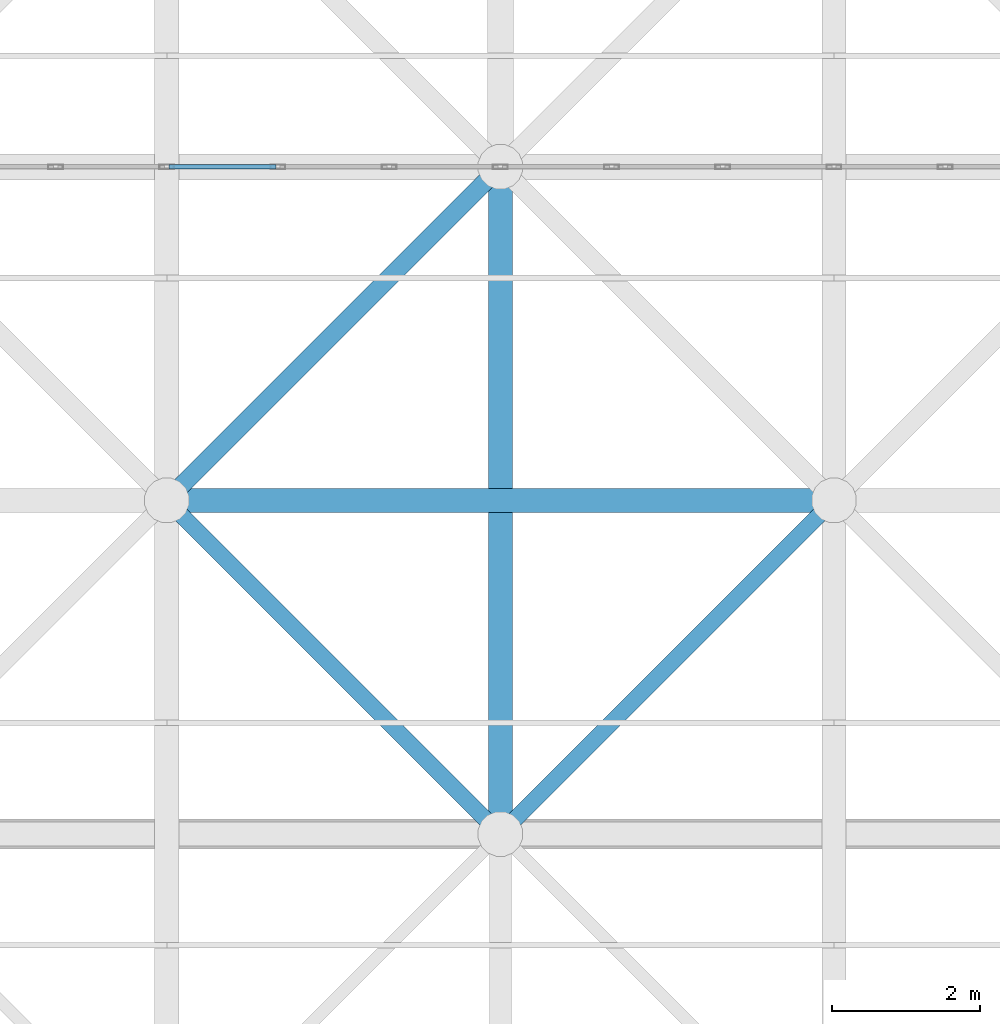
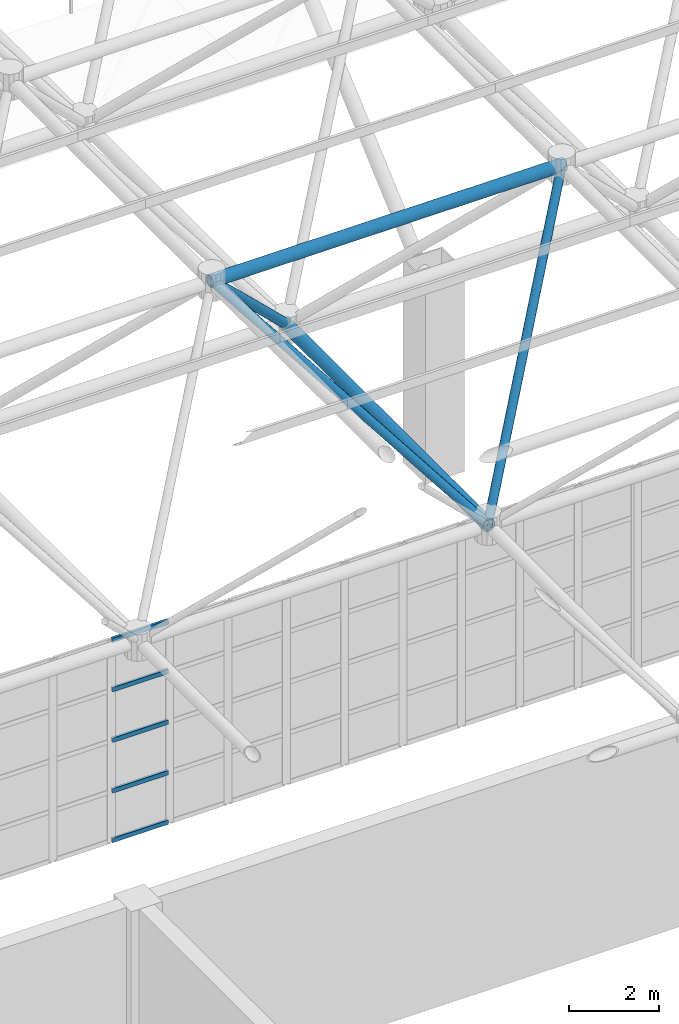
# One storey, part 158 of 437: 10 members, 1 element without a shape of its own.
"""IFC4 building model written with IfcOpenShell, lengths in metres."""

from ifc_helpers import new_model, si_unit, direction, frame, origin, origin_2d, place, context, subcontext, project, spatial, hollow_rectangle, hollow_circle, extrude, material, layer, layer_set, material_profile, profile_set, type_object, element, aggregate, save


model = new_model("IFC4")

# Units and contexts
model_context = context("Model", 3, precision=1e-05, world=origin(), true_north=direction((0.0, 1.0)))
body_context = subcontext(model_context, "Body", "Model", "MODEL_VIEW")
ifc_project = project(units=[si_unit("LENGTHUNIT", "METRE"), si_unit("AREAUNIT", "SQUARE_METRE"), si_unit("VOLUMEUNIT", "CUBIC_METRE"), si_unit("PLANEANGLEUNIT", "RADIAN"), si_unit("MASSUNIT", "GRAM", prefix="KILO")], contexts=[model_context])

# Site, building, storey
site_placement = place(None, origin())
site = spatial("IfcSite", under=ifc_project, at=site_placement, CompositionType="ELEMENT")
building_placement = place(site_placement, origin())
building = spatial("IfcBuilding", under=site, at=building_placement, Name="Opaline Strait Convention Centre", CompositionType="ELEMENT")
storey_placement = place(building_placement, frame((0.0, 0.0, 11.5)))
storey = spatial("IfcBuildingStorey", under=building, at=storey_placement, Name="L02", CompositionType="ELEMENT", Elevation=11.5)

# Curtain wall, members
ifc_material_1 = material(Name="Aluminium framed glazing", Category="aluminium")
ifc_layer = layer(ifc_material_1, 0.199951171875)
ifc_layer_set = layer_set([ifc_layer], Name="Aluminium framed glazing")
curtain_wall_type = type_object("IfcCurtainWallType", Name="Entrance curtain wall 1500", PredefinedType="NOTDEFINED", material=ifc_layer_set)
curtain_wall_placement = place(storey_placement, origin())
curtain_wall = element("IfcCurtainWall", 1, at=curtain_wall_placement, inside=storey, type_object=curtain_wall_type, Name="Entrance curtain wall L02-R1", PredefinedType="NOTDEFINED")
ifc_material_2 = material(Name="Aluminium alloy 6063", Category="aluminium")
ifc_material_profile_1 = material_profile(ifc_material_2, hollow_rectangle(XDim=0.06005859375, YDim=0.1201171875, WallThickness=0.0029296875, at=origin_2d()), Name="TRANSOM 60x120x3")
ifc_profile_set_1 = profile_set([ifc_material_profile_1], Name="Aluminium alloy 6063")
member_type_1 = type_object("IfcMemberType", Name="Curtain wall transom 60 x 120", PredefinedType="USERDEFINED", material=ifc_profile_set_1)
member_1_placement = place(storey_placement, frame((157.530029296875, 144.0, 0.030029296875), z_axis=(1.0, 0.0, 0.0), x_axis=(0.0, 1.0, 0.0)))
member_1 = element("IfcMember", 2, at=member_1_placement, type_object=member_type_1, Name="XCW transom 4.1", ObjectType="TRANSOM", PredefinedType="USERDEFINED", context=body_context, shape_type="SweptSolid", body=[
    extrude(hollow_rectangle(XDim=0.06005859375, YDim=0.1201171875, WallThickness=0.0029296875, at=origin_2d()), origin(), (0.0, 0.0, 1.0), 1.43994140625),
])
member_2_placement = place(storey_placement, frame((157.530029296875, 144.0, 1.375), z_axis=(1.0, 0.0, 0.0), x_axis=(0.0, 1.0, 0.0)))
member_2 = element("IfcMember", 3, at=member_2_placement, type_object=member_type_1, Name="XCW transom 4.2", ObjectType="TRANSOM", PredefinedType="USERDEFINED", context=body_context, shape_type="SweptSolid", body=[
    extrude(hollow_rectangle(XDim=0.06005859375, YDim=0.1201171875, WallThickness=0.0029296875, at=origin_2d()), origin(), (0.0, 0.0, 1.0), 1.43994140625),
])
member_3_placement = place(storey_placement, frame((157.530029296875, 144.0, 2.75), z_axis=(1.0, 0.0, 0.0), x_axis=(0.0, 1.0, 0.0)))
member_3 = element("IfcMember", 4, at=member_3_placement, type_object=member_type_1, Name="XCW transom 4.3", ObjectType="TRANSOM", PredefinedType="USERDEFINED", context=body_context, shape_type="SweptSolid", body=[
    extrude(hollow_rectangle(XDim=0.06005859375, YDim=0.1201171875, WallThickness=0.0029296875, at=origin_2d()), origin(), (0.0, 0.0, 1.0), 1.43994140625),
])
member_4_placement = place(storey_placement, frame((157.530029296875, 144.0, 4.125), z_axis=(1.0, 0.0, 0.0), x_axis=(0.0, 1.0, 0.0)))
member_4 = element("IfcMember", 5, at=member_4_placement, type_object=member_type_1, Name="XCW transom 4.4", ObjectType="TRANSOM", PredefinedType="USERDEFINED", context=body_context, shape_type="SweptSolid", body=[
    extrude(hollow_rectangle(XDim=0.06005859375, YDim=0.1201171875, WallThickness=0.0029296875, at=origin_2d()), origin(), (0.0, 0.0, 1.0), 1.43994140625),
])
member_5_placement = place(storey_placement, frame((157.530029296875, 144.0, 5.469970703125), z_axis=(1.0, 0.0, 0.0), x_axis=(0.0, 1.0, 0.0)))
member_5 = element("IfcMember", 6, at=member_5_placement, type_object=member_type_1, Name="XCW transom 4.5", ObjectType="TRANSOM", PredefinedType="USERDEFINED", context=body_context, shape_type="SweptSolid", body=[
    extrude(hollow_rectangle(XDim=0.06005859375, YDim=0.1201171875, WallThickness=0.0029296875, at=origin_2d()), origin(), (0.0, 0.0, 1.0), 1.43994140625),
])
aggregate(curtain_wall, [member_1, member_2, member_3, member_4, member_5])

# Members
ifc_material_3 = material(Name="Steel Q355B", Category="steel")
ifc_material_profile_2 = material_profile(ifc_material_3, hollow_circle(Radius=0.16259765625, WallThickness=0.013916015625, at=origin_2d()), Name="CHS 325x14")
ifc_profile_set_2 = profile_set([ifc_material_profile_2], Name="Steel Q355B")
member_type_2 = type_object("IfcMemberType", Name="Space frame bottom chord CHS 325x14", PredefinedType="CHORD", material=ifc_profile_set_2)
member_6_placement = place(storey_placement, frame((162.0, 134.949951171875, 12.5), z_axis=(0.0, 1.0, 0.0), x_axis=(-1.0, 0.0, 0.0)))
element("IfcMember", 7, at=member_6_placement, inside=storey, type_object=member_type_2, Name="EXB-RF-BY-8-10", PredefinedType="CHORD", context=body_context, shape_type="SweptSolid", body=[
    extrude(hollow_circle(Radius=0.16259765625, WallThickness=0.013916015625, at=origin_2d()), origin(), (0.0, 0.0, 1.0), 9.10009765625),
])
ifc_material_profile_3 = material_profile(ifc_material_3, hollow_circle(Radius=0.16259765625, WallThickness=0.013916015625, at=origin_2d()), Name="CHS 325x14")
ifc_profile_set_3 = profile_set([ifc_material_profile_3], Name="Steel Q355B")
member_type_3 = type_object("IfcMemberType", Name="Space frame top chord CHS 325x14", PredefinedType="CHORD", material=ifc_profile_set_3)
member_7_placement = place(storey_placement, frame((157.449951171875, 139.5, 17.971435546875), z_axis=(1.0, 0.0, 0.0), x_axis=(0.0, 1.0, 0.0)))
element("IfcMember", 8, at=member_7_placement, inside=storey, type_object=member_type_3, Name="EXB-RF-TX-8-11", PredefinedType="CHORD", context=body_context, shape_type="SweptSolid", body=[
    extrude(hollow_circle(Radius=0.16259765625, WallThickness=0.013916015625, at=origin_2d()), origin(), (0.0, 0.0, 1.0), 9.10009765625),
])
ifc_material_profile_4 = material_profile(ifc_material_3, hollow_circle(Radius=0.109619140625, WallThickness=0.010009765625, at=origin_2d()), Name="CHS 219x10")
ifc_profile_set_4 = profile_set([ifc_material_profile_4], Name="Steel Q355B")
member_type_4 = type_object("IfcMemberType", Name="Space frame web CHS 219x10", PredefinedType="BRACE", material=ifc_profile_set_4)
for number, where, z_axis, x_axis, name in (
    (9, (157.47314453125, 139.52685546875, 18.004150390625), (0.536178220346, -0.536178220346, -0.6519400525), (0.707106781187, 0.707106781187, 0.0), "EXB-RF-W-8-10-01"),
    (10, (166.52685546875, 139.52685546875, 18.004150390625), (-0.536178220346, -0.536178220346, -0.6519400525), (0.707106781187, -0.707106781187, 0.0), "EXB-RF-W-8-10-11"),
):
    element("IfcMember", number, at=place(storey_placement, frame(where, z_axis=z_axis, x_axis=x_axis)), inside=storey, type_object=member_type_4, Name=name, PredefinedType="BRACE", context=body_context, shape_type="SweptSolid", body=[
        extrude(hollow_circle(Radius=0.109619140625, WallThickness=0.010009765625, at=origin_2d()), origin(), (0.0, 0.0, 1.0), 8.492919921875),
    ])
ifc_material_profile_5 = material_profile(ifc_material_3, hollow_circle(Radius=0.12255859375, WallThickness=0.011962890625, at=origin_2d()), Name="CHS 245x12")
ifc_profile_set_5 = profile_set([ifc_material_profile_5], Name="Steel Q355B")
member_type_5 = type_object("IfcMemberType", Name="Space frame web CHS 245x12", PredefinedType="BRACE", material=ifc_profile_set_5)
member_8_placement = place(storey_placement, frame((157.47314453125, 139.47314453125, 18.004150390625), z_axis=(0.536178220346, 0.536178220346, -0.6519400525), x_axis=(-0.707106781187, 0.707106781187, 0.0)))
element("IfcMember", 11, at=member_8_placement, inside=storey, type_object=member_type_5, Name="EXB-RF-W-8-11-00", PredefinedType="BRACE", context=body_context, shape_type="SweptSolid", body=[
    extrude(hollow_circle(Radius=0.12255859375, WallThickness=0.011962890625, at=origin_2d()), origin(), (0.0, 0.0, 1.0), 8.492919921875),
])

save(model, "model.ifc")
